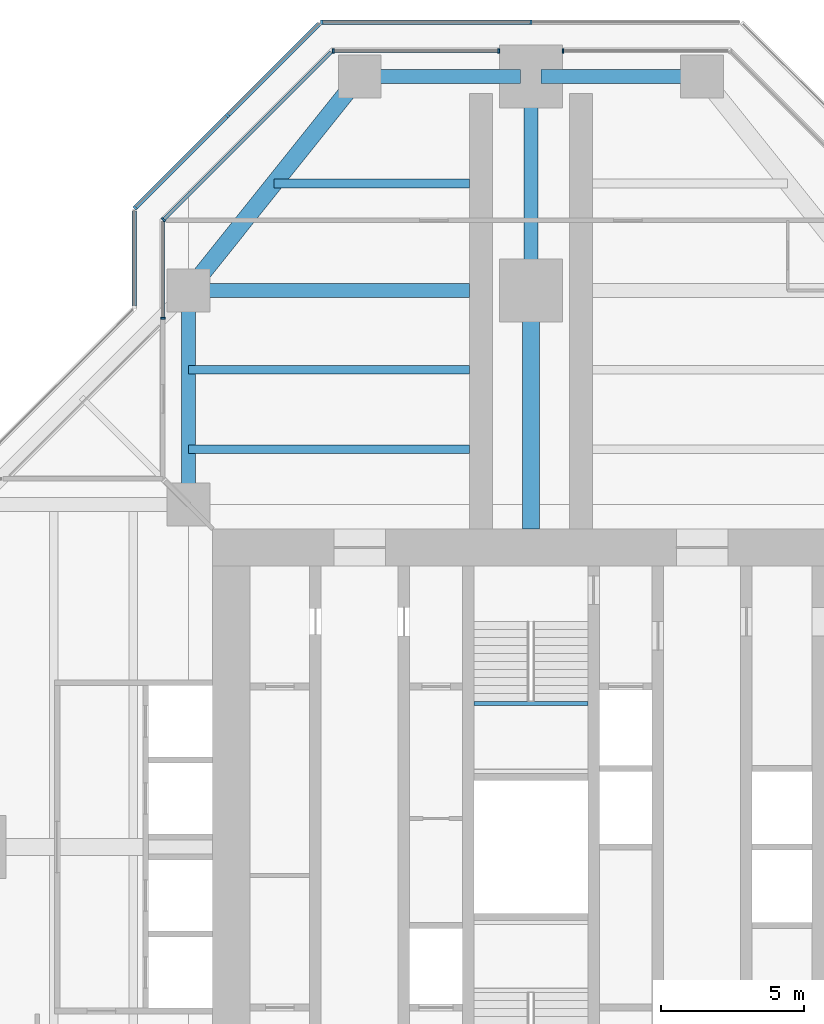
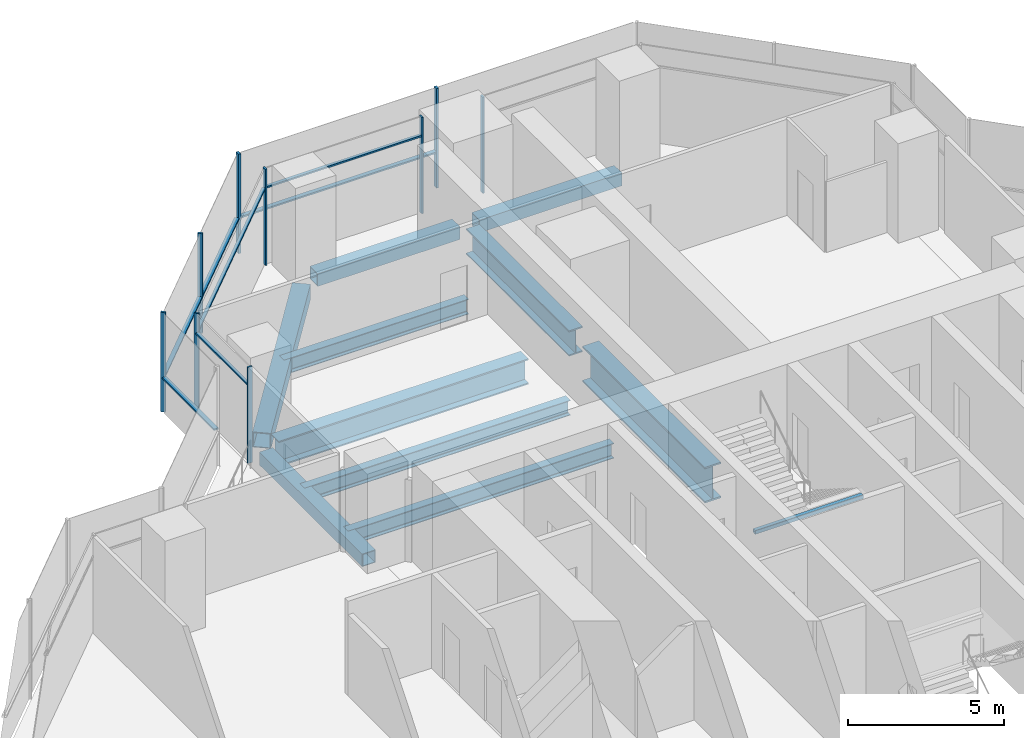
# One storey, part 7 of 17: 16 members, 11 beams, 7 elements without a shape of their own.
"""IFC4 building model written with IfcOpenShell, lengths in metres."""

from ifc_helpers import new_model, si_unit, direction, frame, origin, origin_2d, place, context, subcontext, project, spatial, rectangle, hollow_rectangle, i_section, extrude, material, material_profile, profile_set, type_object, element, aggregate, save


model = new_model("IFC4")

# Units and contexts
model_context = context("Model", 3, precision=1e-05, world=origin(), true_north=direction((0.0, 1.0)))
body_context = subcontext(model_context, "Body", "Model", "MODEL_VIEW")
ifc_project = project(units=[si_unit("LENGTHUNIT", "METRE"), si_unit("AREAUNIT", "SQUARE_METRE"), si_unit("VOLUMEUNIT", "CUBIC_METRE"), si_unit("PLANEANGLEUNIT", "RADIAN"), si_unit("MASSUNIT", "GRAM", prefix="KILO")], contexts=[model_context])

# Site, building, storey
site_placement = place(None, origin())
site = spatial("IfcSite", under=ifc_project, at=site_placement, CompositionType="ELEMENT")
building_placement = place(site_placement, origin())
building = spatial("IfcBuilding", under=site, at=building_placement, Name="Mizan Broadcast Tower", CompositionType="ELEMENT")
storey_placement = place(building_placement, frame((0.0, 0.0, 224.39990234375)))
storey = spatial("IfcBuildingStorey", under=building, at=storey_placement, Name="L52", CompositionType="ELEMENT", Elevation=224.39990234375)

# Beams
ifc_material_1 = material(Name="Steel S355", Category="steel")
ifc_material_profile_1 = material_profile(ifc_material_1, hollow_rectangle(XDim=0.5, YDim=0.5, WallThickness=0.030029296875, at=origin_2d()), Name="BOX 500x500x30")
ifc_profile_set_1 = profile_set([ifc_material_profile_1], Name="Steel S355")
beam_type_1 = type_object("IfcBeamType", Name="EDGE BEAM BOX 500x500x30", PredefinedType="SPANDREL", material=ifc_profile_set_1)
beam_1_placement = place(storey_placement, frame((5.639892578125, 27.0, -0.3798828125), z_axis=(-1.0, 0.0, 0.0), x_axis=(0.0, -1.0, 0.0)))
element("IfcBeam", 1, at=beam_1_placement, inside=storey, type_object=beam_type_1, Name="Edge beam BOX 500x500x30 L52 north arm", PredefinedType="SPANDREL", context=body_context, shape_type="SweptSolid", body=[
    extrude(hollow_rectangle(XDim=0.5, YDim=0.5, WallThickness=0.030029296875, at=origin_2d()), origin(), (0.0, 0.0, 1.0), 5.27978515625),
])
beam_2_placement = place(storey_placement, frame((-12.0, 12.449951171875, -0.3798828125), z_axis=(0.0, 1.0, 0.0), x_axis=(-1.0, 0.0, 0.0)))
element("IfcBeam", 2, at=beam_2_placement, inside=storey, type_object=beam_type_1, Name="Edge beam BOX 500x500x30 L52 north arm", PredefinedType="SPANDREL", context=body_context, shape_type="SweptSolid", body=[
    extrude(hollow_rectangle(XDim=0.5, YDim=0.5, WallThickness=0.030029296875, at=origin_2d()), origin(), (0.0, 0.0, 1.0), 6.60009765625),
])
beam_3_placement = place(storey_placement, frame((-5.639892578125, 27.0, -0.3798828125), z_axis=(1.0, 0.0, 0.0), x_axis=(0.0, 1.0, 0.0)))
element("IfcBeam", 3, at=beam_3_placement, inside=storey, type_object=beam_type_1, Name="Edge beam BOX 500x500x30 L52 north arm", PredefinedType="SPANDREL", context=body_context, shape_type="SweptSolid", body=[
    extrude(hollow_rectangle(XDim=0.5, YDim=0.5, WallThickness=0.030029296875, at=origin_2d()), origin(), (0.0, 0.0, 1.0), 5.27978515625),
])
ifc_material_2 = material(Name="Steel S355", Category="steel")
ifc_material_profile_2 = material_profile(ifc_material_2, hollow_rectangle(XDim=0.60009765625, YDim=0.60009765625, WallThickness=0.030029296875, at=origin_2d()), Name="BOX 600x600x30")
ifc_profile_set_2 = profile_set([ifc_material_profile_2], Name="Steel S355")
beam_type_2 = type_object("IfcBeamType", Name="EDGE BEAM BOX 600x600x30", PredefinedType="SPANDREL", material=ifc_profile_set_2)
beam_4_placement = place(storey_placement, frame((-11.639892578125, 19.949951171875, -0.429931640625), z_axis=(0.624673911726, 0.780885717636, 0.0), x_axis=(-0.780885717636, 0.624673911726, 0.0)))
element("IfcBeam", 4, at=beam_4_placement, inside=storey, type_object=beam_type_2, Name="Edge beam BOX 600x600x30 L52 north arm", PredefinedType="SPANDREL", context=body_context, shape_type="SweptSolid", body=[
    extrude(hollow_rectangle(XDim=0.60009765625, YDim=0.60009765625, WallThickness=0.030029296875, at=origin_2d()), origin(), (0.0, 0.0, 1.0), 8.4521484375),
])
ifc_material_3 = material(Name="Steel S460", Category="steel")
ifc_material_profile_3 = material_profile(ifc_material_3, i_section(OverallWidth=0.5, OverallDepth=1.0, WebThickness=0.02490234375, FlangeThickness=0.050048828125, at=origin_2d()), Name="WPG 1000x500")
ifc_profile_set_3 = profile_set([ifc_material_profile_3], Name="Steel S460")
beam_type_3 = type_object("IfcBeamType", Name="GIRDER WPG 1000x500", PredefinedType="BEAM", material=ifc_profile_set_3)
beam_5_placement = place(storey_placement, frame((0.0, 19.949951171875, -0.6298828125), z_axis=(0.0, 1.0, 0.0), x_axis=(-1.0, 0.0, 0.0)))
element("IfcBeam", 5, at=beam_5_placement, inside=storey, type_object=beam_type_3, Name="Girder WPG 1000x500 L52 north arm", PredefinedType="BEAM", context=body_context, shape_type="SweptSolid", body=[
    extrude(i_section(OverallWidth=0.5, OverallDepth=1.0, WebThickness=0.02490234375, FlangeThickness=0.050048828125, at=origin_2d()), origin(), (0.0, 0.0, 1.0), 6.60009765625),
])
beam_6_placement = place(storey_placement, frame((-11.408935546875, 19.5, -0.6298828125), z_axis=(1.0, 0.0, 0.0), x_axis=(0.0, 1.0, 0.0)))
element("IfcBeam", 6, at=beam_6_placement, inside=storey, type_object=beam_type_3, Name="Girder WPG 1000x500 L52 north arm", PredefinedType="BEAM", context=body_context, shape_type="SweptSolid", body=[
    extrude(i_section(OverallWidth=0.5, OverallDepth=1.0, WebThickness=0.02490234375, FlangeThickness=0.050048828125, at=origin_2d()), origin(), (0.0, 0.0, 1.0), 9.259033203125),
])
ifc_material_4 = material(Name="Steel S460", Category="steel")
ifc_material_profile_4 = material_profile(ifc_material_4, i_section(OverallWidth=0.60009765625, OverallDepth=1.39990234375, WebThickness=0.02490234375, FlangeThickness=0.06005859375, at=origin_2d()), Name="WPG 1400x600")
ifc_profile_set_4 = profile_set([ifc_material_profile_4], Name="Steel S460")
beam_type_4 = type_object("IfcBeamType", Name="GIRDER WPG 1400x600", PredefinedType="BEAM", material=ifc_profile_set_4)
beam_7_placement = place(storey_placement, frame((0.0, 11.14990234375, -0.829833984375), z_axis=(0.0, 1.0, 0.0), x_axis=(-1.0, 0.0, 0.0)))
element("IfcBeam", 7, at=beam_7_placement, inside=storey, type_object=beam_type_4, Name="Girder WPG 1400x600 L52 north arm", PredefinedType="BEAM", context=body_context, shape_type="SweptSolid", body=[
    extrude(i_section(OverallWidth=0.60009765625, OverallDepth=1.39990234375, WebThickness=0.02490234375, FlangeThickness=0.06005859375, at=origin_2d()), origin(), (0.0, 0.0, 1.0), 7.84912109375),
])

# Curtain wall, member
ifc_material_5 = material(Name="Aluminium framed glazing", Category="aluminium")
curtain_wall_type_1 = type_object("IfcCurtainWallType", Name="INNER SKIN HIGH ZONE", PredefinedType="USERDEFINED", material=ifc_material_5)
curtain_wall_1_placement = place(storey_placement, origin())
curtain_wall_1 = element("IfcCurtainWall", 8, at=curtain_wall_1_placement, inside=storey, type_object=curtain_wall_type_1, Name="Inner skin high zone L52 N end", ObjectType="INNER SKIN HIGH ZONE", PredefinedType="USERDEFINED")
ifc_material_6 = material(Name="Aluminium, pale anodised", Category="aluminium")
ifc_material_profile_5 = material_profile(ifc_material_6, rectangle(XDim=0.159912109375, YDim=0.06005859375, at=origin_2d()), Name="MULLION 160x60")
ifc_profile_set_5 = profile_set([ifc_material_profile_5], Name="Aluminium, pale anodised")
member_type_1 = type_object("IfcMemberType", Name="INNER SKIN MULLION 60x160", PredefinedType="MULLION", material=ifc_profile_set_5)
member_1_placement = place(storey_placement, frame((1.1298828125, 27.89990234375, 0.0), z_axis=(0.0, 0.0, 1.0), x_axis=(0.0, -1.0, 0.0)))
member_1 = element("IfcMember", 9, at=member_1_placement, type_object=member_type_1, Name="Inner skin high zone L52 N end mullion 2", PredefinedType="MULLION", context=body_context, shape_type="SweptSolid", body=[
    extrude(rectangle(XDim=0.159912109375, YDim=0.06005859375, at=origin_2d()), origin(), (0.0, 0.0, 1.0), 3.77001953125),
])
aggregate(curtain_wall_1, [member_1])

# Curtain wall, members
curtain_wall_2_placement = place(storey_placement, origin())
curtain_wall_2 = element("IfcCurtainWall", 10, at=curtain_wall_2_placement, inside=storey, type_object=curtain_wall_type_1, Name="Inner skin high zone L52 N end", ObjectType="INNER SKIN HIGH ZONE", PredefinedType="USERDEFINED")
member_2_placement = place(storey_placement, frame((-1.1298828125, 27.89990234375, 0.0), z_axis=(0.0, 0.0, 1.0), x_axis=(0.0, -1.0, 0.0)))
member_2 = element("IfcMember", 11, at=member_2_placement, type_object=member_type_1, Name="Inner skin high zone L52 N end mullion 1", PredefinedType="MULLION", context=body_context, shape_type="SweptSolid", body=[
    extrude(rectangle(XDim=0.159912109375, YDim=0.06005859375, at=origin_2d()), origin(), (0.0, 0.0, 1.0), 3.77001953125),
])
member_3_placement = place(storey_placement, frame((-6.928466796875, 27.89990234375, 0.0), z_axis=(0.0, 0.0, 1.0), x_axis=(0.0, -1.0, 0.0)))
member_3 = element("IfcMember", 12, at=member_3_placement, type_object=member_type_1, Name="Inner skin high zone L52 N end mullion 2", PredefinedType="MULLION", context=body_context, shape_type="SweptSolid", body=[
    extrude(rectangle(XDim=0.159912109375, YDim=0.06005859375, at=origin_2d()), origin(), (0.0, 0.0, 1.0), 3.77001953125),
])

# Curtain wall, member
curtain_wall_3_placement = place(storey_placement, origin())
curtain_wall_3 = element("IfcCurtainWall", 13, at=curtain_wall_3_placement, inside=storey, type_object=curtain_wall_type_1, Name="Inner skin high zone L52 N chamfer", ObjectType="INNER SKIN HIGH ZONE", PredefinedType="USERDEFINED")
member_4_placement = place(storey_placement, frame((-12.87890625, 21.979736328125, 0.0), z_axis=(0.0, 0.0, 1.0), x_axis=(0.707106781187, -0.707106781187, 0.0)))
member_4 = element("IfcMember", 14, at=member_4_placement, type_object=member_type_1, Name="Inner skin high zone L52 N chamfer mullion 2", PredefinedType="MULLION", context=body_context, shape_type="SweptSolid", body=[
    extrude(rectangle(XDim=0.159912109375, YDim=0.06005859375, at=origin_2d()), origin(), (0.0, 0.0, 1.0), 3.77001953125),
])

curtain_wall_4_placement = place(storey_placement, origin())
curtain_wall_4 = element("IfcCurtainWall", 15, at=curtain_wall_4_placement, inside=storey, type_object=curtain_wall_type_1, Name="Inner skin high zone L52 N side", ObjectType="INNER SKIN HIGH ZONE", PredefinedType="USERDEFINED")
member_5_placement = place(storey_placement, frame((-12.89990234375, 18.530029296875, 0.0), z_axis=(0.0, 0.0, 1.0), x_axis=(1.0, 0.0, 0.0)))
member_5 = element("IfcMember", 16, at=member_5_placement, type_object=member_type_1, Name="Inner skin high zone L52 N side mullion 2", PredefinedType="MULLION", context=body_context, shape_type="SweptSolid", body=[
    extrude(rectangle(XDim=0.159912109375, YDim=0.06005859375, at=origin_2d()), origin(), (0.0, 0.0, 1.0), 3.77001953125),
])

# Member
ifc_material_7 = material(Name="Aluminium, pale anodised", Category="aluminium")
ifc_material_profile_6 = material_profile(ifc_material_7, rectangle(XDim=0.1201171875, YDim=0.06005859375, at=origin_2d()), Name="TRANSOM 120x60")
ifc_profile_set_6 = profile_set([ifc_material_profile_6], Name="Aluminium, pale anodised")
member_type_2 = type_object("IfcMemberType", Name="INNER SKIN TRANSOM 60x120", PredefinedType="USERDEFINED", material=ifc_profile_set_6)
member_6_placement = place(storey_placement, frame((-1.159912109375, 27.89990234375, 3.030029296875), z_axis=(-1.0, 0.0, 0.0), x_axis=(0.0, -1.0, 0.0)))
member_6 = element("IfcMember", 17, at=member_6_placement, type_object=member_type_2, Name="Inner skin high zone L52 N end transom 1.1", ObjectType="TRANSOM", PredefinedType="USERDEFINED", context=body_context, shape_type="SweptSolid", body=[
    extrude(rectangle(XDim=0.1201171875, YDim=0.06005859375, at=origin_2d()), origin(), (0.0, 0.0, 1.0), 5.73876953125),
])

aggregate(curtain_wall_2, [member_2, member_3, member_6])

member_7_placement = place(storey_placement, frame((-7.0009765625, 27.857666015625, 3.030029296875), z_axis=(-0.707106781187, -0.707106781187, 0.0), x_axis=(0.707106781187, -0.707106781187, 0.0)))
member_7 = element("IfcMember", 18, at=member_7_placement, type_object=member_type_2, Name="Inner skin high zone L52 N chamfer transom 1.1", ObjectType="TRANSOM", PredefinedType="USERDEFINED", context=body_context, shape_type="SweptSolid", body=[
    extrude(rectangle(XDim=0.1201171875, YDim=0.06005859375, at=origin_2d()), origin(), (0.0, 0.0, 1.0), 8.28271484375),
])

aggregate(curtain_wall_3, [member_4, member_7])

member_8_placement = place(storey_placement, frame((-12.89990234375, 21.898681640625, 3.030029296875), z_axis=(0.0, -1.0, 0.0), x_axis=(1.0, 0.0, 0.0)))
member_8 = element("IfcMember", 19, at=member_8_placement, type_object=member_type_2, Name="Inner skin high zone L52 N side transom 1.1", ObjectType="TRANSOM", PredefinedType="USERDEFINED", context=body_context, shape_type="SweptSolid", body=[
    extrude(rectangle(XDim=0.1201171875, YDim=0.06005859375, at=origin_2d()), origin(), (0.0, 0.0, 1.0), 3.338623046875),
])

aggregate(curtain_wall_4, [member_5, member_8])

# Beam
ifc_material_8 = material(Name="Steel S355", Category="steel")
ifc_material_profile_7 = material_profile(ifc_material_8, hollow_rectangle(XDim=0.14990234375, YDim=0.14990234375, WallThickness=0.008056640625, InnerFilletRadius=0.008056640625, OuterFilletRadius=0.011962890625, at=origin_2d()), Name="SHS 150x150x8")
ifc_profile_set_7 = profile_set([ifc_material_profile_7], Name="Steel S355")
beam_type_5 = type_object("IfcBeamType", Name="LANDING TRIMMER SHS 150x150x8", PredefinedType="BEAM", material=ifc_profile_set_7)
beam_8_placement = place(storey_placement, frame((2.0, 5.02490234375, 1.675048828125), z_axis=(-1.0, 0.0, 0.0), x_axis=(0.0, -1.0, 0.0)))
element("IfcBeam", 20, at=beam_8_placement, inside=storey, type_object=beam_type_5, Name="Stair B landing trimmer L52", PredefinedType="BEAM", context=body_context, shape_type="SweptSolid", body=[
    extrude(hollow_rectangle(XDim=0.14990234375, YDim=0.14990234375, WallThickness=0.008056640625, InnerFilletRadius=0.008056640625, OuterFilletRadius=0.011962890625, at=origin_2d()), origin(), (0.0, 0.0, 1.0), 4.0),
])

# Curtain wall, members
ifc_material_9 = material(Name="Aluminium framed glazing", Category="aluminium")
curtain_wall_type_2 = type_object("IfcCurtainWallType", Name="OUTER SKIN", PredefinedType="USERDEFINED", material=ifc_material_9)
curtain_wall_5_placement = place(storey_placement, origin())
curtain_wall_5 = element("IfcCurtainWall", 21, at=curtain_wall_5_placement, inside=storey, type_object=curtain_wall_type_2, Name="Outer skin L52 N end", ObjectType="OUTER SKIN", PredefinedType="USERDEFINED")
ifc_material_10 = material(Name="Aluminium, pale anodised", Category="aluminium")
ifc_material_profile_8 = material_profile(ifc_material_10, rectangle(XDim=0.159912109375, YDim=0.080078125, at=origin_2d()), Name="MULLION 160x80")
ifc_profile_set_8 = profile_set([ifc_material_profile_8], Name="Aluminium, pale anodised")
member_type_3 = type_object("IfcMemberType", Name="OUTER SKIN MULLION 80x160", PredefinedType="MULLION", material=ifc_profile_set_8)
member_9_placement = place(storey_placement, frame((0.0, 28.89990234375, 0.0), z_axis=(0.0, 0.0, 1.0), x_axis=(0.0, -1.0, 0.0)))
member_9 = element("IfcMember", 22, at=member_9_placement, type_object=member_type_3, Name="Outer skin L52 N end mullion 2", PredefinedType="MULLION", context=body_context, shape_type="SweptSolid", body=[
    extrude(rectangle(XDim=0.159912109375, YDim=0.080078125, at=origin_2d()), origin(), (0.0, 0.0, 1.0), 3.900146484375),
])
member_10_placement = place(storey_placement, frame((-7.332763671875, 28.89990234375, 0.0), z_axis=(0.0, 0.0, 1.0), x_axis=(0.0, -1.0, 0.0)))
member_10 = element("IfcMember", 23, at=member_10_placement, type_object=member_type_3, Name="Outer skin L52 N end mullion 3", PredefinedType="MULLION", context=body_context, shape_type="SweptSolid", body=[
    extrude(rectangle(XDim=0.159912109375, YDim=0.080078125, at=origin_2d()), origin(), (0.0, 0.0, 1.0), 3.900146484375),
])

curtain_wall_6_placement = place(storey_placement, origin())
curtain_wall_6 = element("IfcCurtainWall", 24, at=curtain_wall_6_placement, inside=storey, type_object=curtain_wall_type_2, Name="Outer skin L52 N chamfer", ObjectType="OUTER SKIN", PredefinedType="USERDEFINED")
member_11_placement = place(storey_placement, frame((-10.636474609375, 25.636474609375, 0.0), z_axis=(0.0, 0.0, 1.0), x_axis=(0.707106781187, -0.707106781187, 0.0)))
member_11 = element("IfcMember", 25, at=member_11_placement, type_object=member_type_3, Name="Outer skin L52 N chamfer mullion 2", PredefinedType="MULLION", context=body_context, shape_type="SweptSolid", body=[
    extrude(rectangle(XDim=0.159912109375, YDim=0.080078125, at=origin_2d()), origin(), (0.0, 0.0, 1.0), 3.900146484375),
])
member_12_placement = place(storey_placement, frame((-13.871826171875, 22.401123046875, 0.0), z_axis=(0.0, 0.0, 1.0), x_axis=(0.707106781187, -0.707106781187, 0.0)))
member_12 = element("IfcMember", 26, at=member_12_placement, type_object=member_type_3, Name="Outer skin L52 N chamfer mullion 3", PredefinedType="MULLION", context=body_context, shape_type="SweptSolid", body=[
    extrude(rectangle(XDim=0.159912109375, YDim=0.080078125, at=origin_2d()), origin(), (0.0, 0.0, 1.0), 3.900146484375),
])

# Member
ifc_material_11 = material(Name="Aluminium, pale anodised", Category="aluminium")
ifc_material_profile_9 = material_profile(ifc_material_11, rectangle(XDim=0.159912109375, YDim=0.06005859375, at=origin_2d()), Name="TRANSOM 160x60")
ifc_profile_set_9 = profile_set([ifc_material_profile_9], Name="Aluminium, pale anodised")
member_type_4 = type_object("IfcMemberType", Name="OUTER SKIN TRANSOM 60x160", PredefinedType="USERDEFINED", material=ifc_profile_set_9)
member_13_placement = place(storey_placement, frame((-0.0400390625, 28.89990234375, 1.400146484375), z_axis=(-1.0, 0.0, 0.0), x_axis=(0.0, -1.0, 0.0)))
member_13 = element("IfcMember", 27, at=member_13_placement, type_object=member_type_4, Name="Outer skin L52 N end transom 2.1", ObjectType="TRANSOM", PredefinedType="USERDEFINED", context=body_context, shape_type="SweptSolid", body=[
    extrude(rectangle(XDim=0.159912109375, YDim=0.06005859375, at=origin_2d()), origin(), (0.0, 0.0, 1.0), 7.252685546875),
])

aggregate(curtain_wall_5, [member_9, member_10, member_13])

member_14_placement = place(storey_placement, frame((-7.429443359375, 28.843505859375, 1.400146484375), z_axis=(-0.707106781187, -0.707106781187, 0.0), x_axis=(0.707106781187, -0.707106781187, 0.0)))
member_14 = element("IfcMember", 28, at=member_14_placement, type_object=member_type_4, Name="Outer skin L52 N chamfer transom 1.1", ObjectType="TRANSOM", PredefinedType="USERDEFINED", context=body_context, shape_type="SweptSolid", body=[
    extrude(rectangle(XDim=0.159912109375, YDim=0.06005859375, at=origin_2d()), origin(), (0.0, 0.0, 1.0), 4.495361328125),
])

member_15_placement = place(storey_placement, frame((-10.664794921875, 25.608154296875, 1.400146484375), z_axis=(-0.707106781187, -0.707106781187, 0.0), x_axis=(0.707106781187, -0.707106781187, 0.0)))
member_15 = element("IfcMember", 29, at=member_15_placement, type_object=member_type_4, Name="Outer skin L52 N chamfer transom 2.1", ObjectType="TRANSOM", PredefinedType="USERDEFINED", context=body_context, shape_type="SweptSolid", body=[
    extrude(rectangle(XDim=0.159912109375, YDim=0.06005859375, at=origin_2d()), origin(), (0.0, 0.0, 1.0), 4.495361328125),
])

aggregate(curtain_wall_6, [member_11, member_12, member_14, member_15])

# Curtain wall, member
curtain_wall_7_placement = place(storey_placement, origin())
curtain_wall_7 = element("IfcCurtainWall", 30, at=curtain_wall_7_placement, inside=storey, type_object=curtain_wall_type_2, Name="Outer skin L52 N side", ObjectType="OUTER SKIN", PredefinedType="USERDEFINED")
member_16_placement = place(storey_placement, frame((-13.89990234375, 22.292724609375, 1.400146484375), z_axis=(0.0, -1.0, 0.0), x_axis=(1.0, 0.0, 0.0)))
member_16 = element("IfcMember", 31, at=member_16_placement, type_object=member_type_4, Name="Outer skin L52 N side transom 1.1", ObjectType="TRANSOM", PredefinedType="USERDEFINED", context=body_context, shape_type="SweptSolid", body=[
    extrude(rectangle(XDim=0.159912109375, YDim=0.06005859375, at=origin_2d()), origin(), (0.0, 0.0, 1.0), 3.33984375),
])
aggregate(curtain_wall_7, [member_16])

# Beams
ifc_material_12 = material(Name="Steel S355", Category="steel")
ifc_material_profile_10 = material_profile(ifc_material_12, i_section(OverallWidth=0.300048828125, OverallDepth=0.590087890625, WebThickness=0.012939453125, FlangeThickness=0.02490234375, FilletRadius=0.027099609375, at=origin_2d()), Name="HEA 600")
ifc_profile_set_10 = profile_set([ifc_material_profile_10], Name="Steel S355")
beam_type_6 = type_object("IfcBeamType", Name="SECONDARY BEAM HEA 600", PredefinedType="JOIST", material=ifc_profile_set_10)
for number, where, z_axis, x_axis, name in (
    (32, (-12.0, 13.933349609375, -0.4248046875), (1.0, 0.0, 0.0), (0.0, 1.0, 0.0), "Secondary beam HEA 600 L52 north arm"),
    (33, (-12.0, 16.716552734375, -0.4248046875), (1.0, 0.0, 0.0), (0.0, 1.0, 0.0), "Secondary beam HEA 600 L52 north arm"),
):
    element("IfcBeam", number, at=place(storey_placement, frame(where, z_axis=z_axis, x_axis=x_axis)), inside=storey, type_object=beam_type_6, Name=name, PredefinedType="JOIST", context=body_context, shape_type="SweptSolid", body=[
        extrude(i_section(OverallWidth=0.300048828125, OverallDepth=0.590087890625, WebThickness=0.012939453125, FlangeThickness=0.02490234375, FilletRadius=0.027099609375, at=origin_2d()), origin(), (0.0, 0.0, 1.0), 9.85009765625),
    ])
beam_9_placement = place(storey_placement, frame((-9.0, 23.25, -0.4248046875), z_axis=(1.0, 0.0, 0.0), x_axis=(0.0, 1.0, 0.0)))
element("IfcBeam", 34, at=beam_9_placement, inside=storey, type_object=beam_type_6, Name="Secondary beam HEA 600 L52 north arm", PredefinedType="JOIST", context=body_context, shape_type="SweptSolid", body=[
    extrude(i_section(OverallWidth=0.300048828125, OverallDepth=0.590087890625, WebThickness=0.012939453125, FlangeThickness=0.02490234375, FilletRadius=0.027099609375, at=origin_2d()), origin(), (0.0, 0.0, 1.0), 6.85009765625),
])

save(model, "model.ifc")
